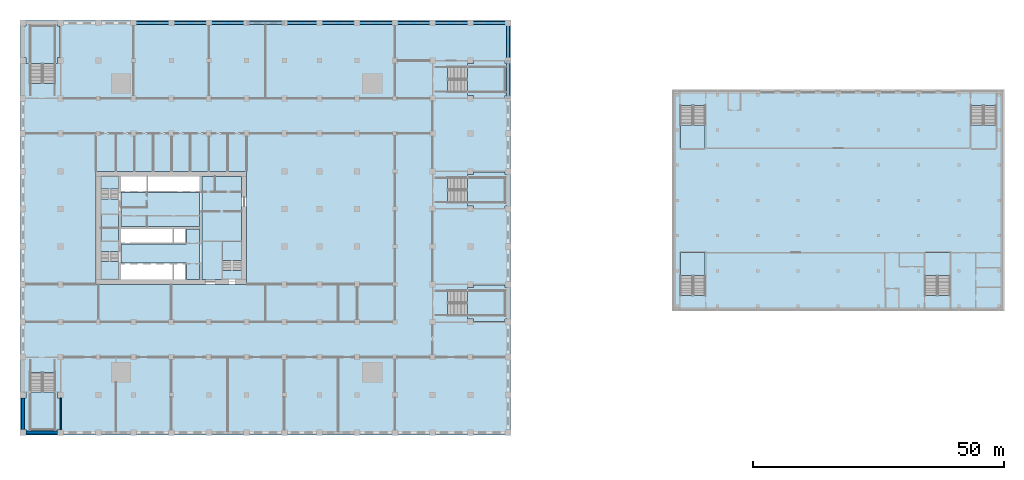
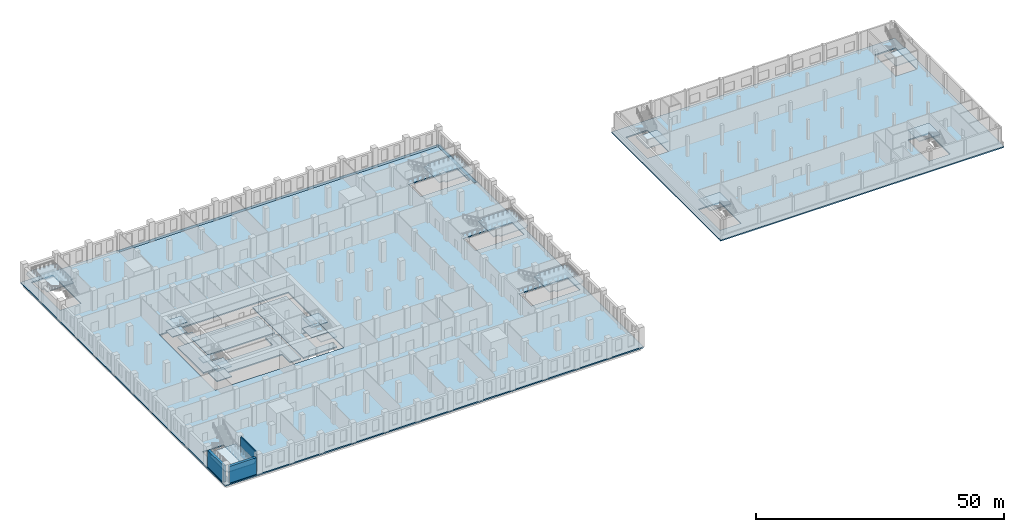
# One storey, part 2 of 32: 24 slabs, 12 beams, 3 walls, 12 elements without a shape of their own.
"""IFC4 building model written with IfcOpenShell, lengths in metres."""

from ifc_helpers import new_model, si_unit, direction, frame, frame_2d, origin, origin_2d, place, context, subcontext, project, spatial, polyline, rectangle, outline, extrude, material, layer, layer_set, material_profile, profile_set, type_object, element, aggregate, save


model = new_model("IFC4")

# Units and contexts
model_context = context("Model", 3, precision=1e-05, world=origin(), true_north=direction((0.0, 1.0)))
body_context = subcontext(model_context, "Body", "Model", "MODEL_VIEW")
ifc_project = project(units=[si_unit("LENGTHUNIT", "METRE"), si_unit("AREAUNIT", "SQUARE_METRE"), si_unit("VOLUMEUNIT", "CUBIC_METRE"), si_unit("PLANEANGLEUNIT", "RADIAN"), si_unit("MASSUNIT", "GRAM", prefix="KILO")], contexts=[model_context])

# Site, building, storey
site_placement = place(None, origin())
site = spatial("IfcSite", under=ifc_project, at=site_placement, CompositionType="ELEMENT")
building_placement = place(site_placement, origin())
building = spatial("IfcBuilding", under=site, at=building_placement, Name="Tamorin Gate", CompositionType="ELEMENT")
storey_placement = place(building_placement, frame((0.0, 0.0, 13.5)))
storey = spatial("IfcBuildingStorey", under=building, at=storey_placement, Name="L02", CompositionType="ELEMENT", Elevation=13.5)

# Beams
ifc_material_1 = material(Name="Concrete C50/60", Category="concrete")
ifc_material_profile = material_profile(ifc_material_1, rectangle(XDim=0.60009765625, YDim=0.89990234375, at=origin_2d()), Name="RC 600x900")
ifc_profile_set = profile_set([ifc_material_profile], Name="Concrete C50/60")
beam_type = type_object("IfcBeamType", Name="RC spandrel 600x900 C50/60", PredefinedType="BEAM", material=ifc_profile_set)
for number, where, z_axis, x_axis, name in (
    (1, (112.0, 97.0, -0.449951171875), (0.0, 1.0, 0.0), (-1.0, 0.0, 0.0), "Spandrel beam L02"),
    (2, (112.0, 104.5, -0.449951171875), (0.0, 1.0, 0.0), (-1.0, 0.0, 0.0), "Spandrel beam L02"),
    (3, (112.0, 112.0, -0.449951171875), (-1.0, 0.0, 0.0), (0.0, -1.0, 0.0), "Spandrel beam L02"),
    (4, (104.5, 112.0, -0.449951171875), (-1.0, 0.0, 0.0), (0.0, -1.0, 0.0), "Spandrel beam L02"),
    (5, (97.0, 112.0, -0.449951171875), (-1.0, 0.0, 0.0), (0.0, -1.0, 0.0), "Spandrel beam L02"),
    (6, (89.5, 112.0, -0.449951171875), (-1.0, 0.0, 0.0), (0.0, -1.0, 0.0), "Spandrel beam L02"),
    (7, (82.0, 112.0, -0.449951171875), (-1.0, 0.0, 0.0), (0.0, -1.0, 0.0), "Spandrel beam L02"),
):
    element("IfcBeam", number, at=place(storey_placement, frame(where, z_axis=z_axis, x_axis=x_axis)), inside=storey, type_object=beam_type, Name=name, PredefinedType="BEAM", context=body_context, shape_type="SweptSolid", body=[
        extrude(rectangle(XDim=0.60009765625, YDim=0.89990234375, at=origin_2d()), origin(), (0.0, 0.0, 1.0), 7.5),
    ])
beam_placement = place(storey_placement, frame((74.5, 112.0, -0.449951171875), z_axis=(-1.0, 0.0, 0.0), x_axis=(0.0, -1.0, 0.0)))
element("IfcBeam", 8, at=beam_placement, inside=storey, type_object=beam_type, Name="Spandrel beam L02", PredefinedType="BEAM", context=body_context, shape_type="SweptSolid", body=[
    extrude(rectangle(XDim=0.60009765625, YDim=0.89990234375, at=origin_2d()), origin(), (0.0, 0.0, 1.0), 7.0),
])
for number, where, z_axis, x_axis, name in (
    (9, (67.5, 112.0, -0.449951171875), (-1.0, 0.0, 0.0), (0.0, -1.0, 0.0), "Spandrel beam L02"),
    (10, (60.0, 112.0, -0.449951171875), (-1.0, 0.0, 0.0), (0.0, -1.0, 0.0), "Spandrel beam L02"),
    (11, (52.5, 112.0, -0.449951171875), (-1.0, 0.0, 0.0), (0.0, -1.0, 0.0), "Spandrel beam L02"),
    (12, (45.0, 112.0, -0.449951171875), (-1.0, 0.0, 0.0), (0.0, -1.0, 0.0), "Spandrel beam L02"),
):
    element("IfcBeam", number, at=place(storey_placement, frame(where, z_axis=z_axis, x_axis=x_axis)), inside=storey, type_object=beam_type, Name=name, PredefinedType="BEAM", context=body_context, shape_type="SweptSolid", body=[
        extrude(rectangle(XDim=0.60009765625, YDim=0.89990234375, at=origin_2d()), origin(), (0.0, 0.0, 1.0), 7.5),
    ])

# Slabs
ifc_material_2 = material(Name="Concrete C40/50", Category="concrete")
ifc_layer_1 = layer(ifc_material_2, 0.300048828125)
ifc_layer_set_1 = layer_set([ifc_layer_1], Name="Core floor slab 300 C40/50")
slab_type_1 = type_object("IfcSlabType", Name="Core floor slab 300 C40/50", PredefinedType="FLOOR", material=ifc_layer_set_1)
slab_1_placement = place(storey_placement, frame((0.0, 0.0, -0.300048828125)))
element("IfcSlab", 13, at=slab_1_placement, inside=storey, type_object=slab_type_1, Name="Core floor L02", PredefinedType="FLOOR", context=body_context, shape_type="SweptSolid", body=[
    extrude(outline(polyline([(59.0, 62.800048828125), (59.0, 61.0), (51.10009765625, 61.0), (51.10009765625, 81.5), (59.0, 81.5), (59.0, 68.5), (55.199951171875, 68.5), (55.199951171875, 62.800048828125), (59.0, 62.800048828125)])), origin(), (0.0, 0.0, 1.0), 0.300048828125),
])
slab_2_placement = place(storey_placement, frame((0.0, 0.0, -0.300048828125)))
element("IfcSlab", 14, at=slab_2_placement, inside=storey, type_object=slab_type_1, Name="Core floor L02", PredefinedType="FLOOR", context=body_context, shape_type="SweptSolid", body=[
    extrude(outline(polyline([(50.60009765625, 61.0), (48.0, 61.0), (48.0, 64.199951171875), (35.0, 64.199951171875), (35.0, 68.050048828125), (48.0, 68.050048828125), (48.0, 71.0), (50.60009765625, 71.0), (50.60009765625, 61.0)])), origin(), (0.0, 0.0, 1.0), 0.300048828125),
])
slab_3_placement = place(storey_placement, frame((0.0, 0.0, -0.300048828125)))
element("IfcSlab", 15, at=slab_3_placement, inside=storey, type_object=slab_type_1, Name="Core floor L02", PredefinedType="FLOOR", context=body_context, shape_type="SweptSolid", body=[
    extrude(outline(polyline([(50.60009765625, 71.5), (35.0, 71.5), (35.0, 78.300048828125), (50.60009765625, 78.300048828125), (50.60009765625, 71.5)])), origin(), (0.0, 0.0, 1.0), 0.300048828125),
])
slab_4_placement = place(storey_placement, frame((0.0, 0.0, -0.300048828125)))
element("IfcSlab", 16, at=slab_4_placement, inside=storey, type_object=slab_type_1, Name="Core floor L02", PredefinedType="FLOOR", context=body_context, shape_type="SweptSolid", body=[
    extrude(outline(polyline([(31.0, 66.5), (31.0, 77.0), (34.5, 77.0), (34.5, 66.5), (31.0, 66.5)])), origin(), (0.0, 0.0, 1.0), 0.300048828125),
])

# Stair, slabs
stair_type_1 = type_object("IfcStairType", Name="Exit stair", PredefinedType="HALF_TURN_STAIR", material=ifc_material_2)
stair_1_placement = place(storey_placement, origin())
stair_1 = element("IfcStair", 17, at=stair_1_placement, inside=storey, type_object=stair_type_1, Name="L02 stair ST1", PredefinedType="HALF_TURN_STAIR")
ifc_layer_2 = layer(ifc_material_2, 0.199951171875)
ifc_layer_set_2 = layer_set([ifc_layer_2], Name="Exit stair landing 200")
slab_type_2 = type_object("IfcSlabType", Name="Exit stair landing 200", PredefinedType="LANDING", material=ifc_layer_set_2)
slab_5_placement = place(storey_placement, frame((0.0, 0.0, 1.050048828125)))
slab_5 = element("IfcSlab", 18, at=slab_5_placement, type_object=slab_type_2, Name="ST1 landing 1", PredefinedType="LANDING", context=body_context, shape_type="SweptSolid", body=[
    extrude(outline(polyline([(31.0, 64.5400390625), (31.0, 61.0), (34.5, 61.0), (34.5, 64.5400390625), (31.0, 64.5400390625)])), origin(), (0.0, 0.0, 1.0), 0.199951171875),
])
slab_6_placement = place(storey_placement, frame((0.0, 0.0, 2.300048828125)))
slab_6 = element("IfcSlab", 19, at=slab_6_placement, type_object=slab_type_2, Name="ST1 landing 2", PredefinedType="LANDING", context=body_context, shape_type="SweptSolid", body=[
    extrude(outline(polyline([(31.0, 68.5), (31.0, 66.5), (34.5, 66.5), (34.5, 68.5), (31.0, 68.5)])), origin(), (0.0, 0.0, 1.0), 0.199951171875),
])
slab_7_placement = place(storey_placement, frame((0.0, 0.0, 3.550048828125)))
slab_7 = element("IfcSlab", 20, at=slab_7_placement, type_object=slab_type_2, Name="ST1 landing 3", PredefinedType="LANDING", context=body_context, shape_type="SweptSolid", body=[
    extrude(outline(polyline([(31.0, 64.5400390625), (31.0, 61.0), (34.5, 61.0), (34.5, 64.5400390625), (31.0, 64.5400390625)])), origin(), (0.0, 0.0, 1.0), 0.199951171875),
])
aggregate(stair_1, [slab_5, slab_6, slab_7])

stair_2_placement = place(storey_placement, origin())
stair_2 = element("IfcStair", 21, at=stair_2_placement, inside=storey, type_object=stair_type_1, Name="L02 stair ST2", PredefinedType="HALF_TURN_STAIR")
slab_8_placement = place(storey_placement, frame((0.0, 0.0, 1.050048828125)))
slab_8 = element("IfcSlab", 22, at=slab_8_placement, type_object=slab_type_2, Name="ST2 landing 1", PredefinedType="LANDING", context=body_context, shape_type="SweptSolid", body=[
    extrude(outline(polyline([(34.5, 78.9599609375), (34.5, 81.5), (31.0, 81.5), (31.0, 78.9599609375), (34.5, 78.9599609375)])), origin(), (0.0, 0.0, 1.0), 0.199951171875),
])
slab_9_placement = place(storey_placement, frame((0.0, 0.0, 2.300048828125)))
slab_9 = element("IfcSlab", 23, at=slab_9_placement, type_object=slab_type_2, Name="ST2 landing 2", PredefinedType="LANDING", context=body_context, shape_type="SweptSolid", body=[
    extrude(outline(polyline([(34.5, 74.0), (34.5, 77.0), (31.0, 77.0), (31.0, 74.0), (34.5, 74.0)])), origin(), (0.0, 0.0, 1.0), 0.199951171875),
])
slab_10_placement = place(storey_placement, frame((0.0, 0.0, 3.550048828125)))
slab_10 = element("IfcSlab", 24, at=slab_10_placement, type_object=slab_type_2, Name="ST2 landing 3", PredefinedType="LANDING", context=body_context, shape_type="SweptSolid", body=[
    extrude(outline(polyline([(34.5, 78.9599609375), (34.5, 81.5), (31.0, 81.5), (31.0, 78.9599609375), (34.5, 78.9599609375)])), origin(), (0.0, 0.0, 1.0), 0.199951171875),
])
aggregate(stair_2, [slab_8, slab_9, slab_10])

stair_3_placement = place(storey_placement, origin())
stair_3 = element("IfcStair", 25, at=stair_3_placement, inside=storey, type_object=stair_type_1, Name="L02 stair ST3", PredefinedType="HALF_TURN_STAIR")
slab_11_placement = place(storey_placement, frame((0.0, 0.0, 1.050048828125)))
slab_11 = element("IfcSlab", 26, at=slab_11_placement, type_object=slab_type_2, Name="ST3 landing 1", PredefinedType="LANDING", context=body_context, shape_type="SweptSolid", body=[
    extrude(outline(polyline([(59.0, 64.760009765625), (59.0, 68.5), (55.199951171875, 68.5), (55.199951171875, 64.760009765625), (59.0, 64.760009765625)])), origin(), (0.0, 0.0, 1.0), 0.199951171875),
])
slab_12_placement = place(storey_placement, frame((0.0, 0.0, 2.300048828125)))
slab_12 = element("IfcSlab", 27, at=slab_12_placement, type_object=slab_type_2, Name="ST3 landing 2", PredefinedType="LANDING", context=body_context, shape_type="SweptSolid", body=[
    extrude(outline(polyline([(59.0, 61.0), (59.0, 62.800048828125), (55.199951171875, 62.800048828125), (55.199951171875, 61.0), (59.0, 61.0)])), origin(), (0.0, 0.0, 1.0), 0.199951171875),
])
slab_13_placement = place(storey_placement, frame((0.0, 0.0, 3.550048828125)))
slab_13 = element("IfcSlab", 28, at=slab_13_placement, type_object=slab_type_2, Name="ST3 landing 3", PredefinedType="LANDING", context=body_context, shape_type="SweptSolid", body=[
    extrude(outline(polyline([(59.0, 64.760009765625), (59.0, 68.5), (55.199951171875, 68.5), (55.199951171875, 64.760009765625), (59.0, 64.760009765625)])), origin(), (0.0, 0.0, 1.0), 0.199951171875),
])
aggregate(stair_3, [slab_11, slab_12, slab_13])

# Slab
ifc_layer_3 = layer(ifc_material_2, 0.300048828125)
ifc_layer_set_3 = layer_set([ifc_layer_3], Name="Museum floor slab 300 C40/50")
slab_type_3 = type_object("IfcSlabType", Name="Museum floor slab 300 C40/50", PredefinedType="FLOOR", material=ifc_layer_set_3)
slab_14_placement = place(storey_placement, frame((0.0, 0.0, -0.300048828125)))
element("IfcSlab", 29, at=slab_14_placement, inside=storey, type_object=slab_type_3, Name="Museum floor slab", PredefinedType="FLOOR", context=body_context, shape_type="SweptSolid", body=[
    extrude(outline(polyline([(144.699951171875, 54.699951171875), (144.699951171875, 98.699951171875), (210.699951171875, 98.699951171875), (210.699951171875, 54.699951171875), (144.699951171875, 54.699951171875)]), holes=[polyline([(146.300537109375, 57.800537109375), (151.24951171875, 57.800537109375), (151.24951171875, 66.359375), (146.300537109375, 66.359375), (146.300537109375, 57.800537109375)]), polyline([(195.00048828125, 57.800537109375), (199.949462890625, 57.800537109375), (199.949462890625, 66.359375), (195.00048828125, 66.359375), (195.00048828125, 57.800537109375)]), polyline([(151.24951171875, 95.599365234375), (146.300537109375, 95.599365234375), (146.300537109375, 87.04052734375), (151.24951171875, 87.04052734375), (151.24951171875, 95.599365234375)]), polyline([(209.099365234375, 95.599365234375), (204.150634765625, 95.599365234375), (204.150634765625, 87.04052734375), (209.099365234375, 87.04052734375), (209.099365234375, 95.599365234375)])]), origin(), (0.0, 0.0, 1.0), 0.300048828125),
])

# Stair, slab
stair_type_2 = type_object("IfcStairType", Name="Museum exit stair 2400 C40/50", PredefinedType="HALF_TURN_STAIR", material=ifc_material_2)
stair_4_placement = place(storey_placement, origin())
stair_4 = element("IfcStair", 30, at=stair_4_placement, inside=storey, type_object=stair_type_2, Name="L02 PS6", PredefinedType="HALF_TURN_STAIR")
ifc_layer_4 = layer(ifc_material_2, 0.199951171875)
ifc_layer_set_4 = layer_set([ifc_layer_4], Name="Museum stair landing slab 200 C40/50")
slab_type_4 = type_object("IfcSlabType", Name="Museum stair landing slab 200 C40/50", PredefinedType="LANDING", material=ifc_layer_set_4)
slab_15_placement = place(storey_placement, frame((0.0, 0.0, 2.300048828125)))
slab_15 = element("IfcSlab", 31, at=slab_15_placement, type_object=slab_type_4, Name="PS6 landing 1", PredefinedType="LANDING", context=body_context, shape_type="SweptSolid", body=[
    extrude(outline(polyline([(146.300048828125, 91.679931640625), (146.300048828125, 87.0400390625), (151.25, 87.0400390625), (151.25, 91.679931640625), (146.300048828125, 91.679931640625)])), origin(), (0.0, 0.0, 1.0), 0.199951171875),
])
aggregate(stair_4, [slab_15])

stair_5_placement = place(storey_placement, origin())
stair_5 = element("IfcStair", 32, at=stair_5_placement, inside=storey, type_object=stair_type_2, Name="L02 PS7", PredefinedType="HALF_TURN_STAIR")
slab_16_placement = place(storey_placement, frame((0.0, 0.0, 2.300048828125)))
slab_16 = element("IfcSlab", 33, at=slab_16_placement, type_object=slab_type_4, Name="PS7 landing 1", PredefinedType="LANDING", context=body_context, shape_type="SweptSolid", body=[
    extrude(outline(polyline([(199.949951171875, 61.719970703125), (199.949951171875, 66.360107421875), (195.0, 66.360107421875), (195.0, 61.719970703125), (199.949951171875, 61.719970703125)])), origin(), (0.0, 0.0, 1.0), 0.199951171875),
])
aggregate(stair_5, [slab_16])

stair_6_placement = place(storey_placement, origin())
stair_6 = element("IfcStair", 34, at=stair_6_placement, inside=storey, type_object=stair_type_2, Name="L02 PS8", PredefinedType="HALF_TURN_STAIR")
slab_17_placement = place(storey_placement, frame((0.0, 0.0, 2.300048828125)))
slab_17 = element("IfcSlab", 35, at=slab_17_placement, type_object=slab_type_4, Name="PS8 landing 1", PredefinedType="LANDING", context=body_context, shape_type="SweptSolid", body=[
    extrude(outline(polyline([(151.25, 61.719970703125), (151.25, 66.360107421875), (146.300048828125, 66.360107421875), (146.300048828125, 61.719970703125), (151.25, 61.719970703125)])), origin(), (0.0, 0.0, 1.0), 0.199951171875),
])
aggregate(stair_6, [slab_17])

stair_7_placement = place(storey_placement, origin())
stair_7 = element("IfcStair", 36, at=stair_7_placement, inside=storey, type_object=stair_type_2, Name="L02 PS9", PredefinedType="HALF_TURN_STAIR")
slab_18_placement = place(storey_placement, frame((0.0, 0.0, 2.300048828125)))
slab_18 = element("IfcSlab", 37, at=slab_18_placement, type_object=slab_type_4, Name="PS9 landing 1", PredefinedType="LANDING", context=body_context, shape_type="SweptSolid", body=[
    extrude(outline(polyline([(204.14990234375, 91.679931640625), (204.14990234375, 87.0400390625), (209.10009765625, 87.0400390625), (209.10009765625, 91.679931640625), (204.14990234375, 91.679931640625)])), origin(), (0.0, 0.0, 1.0), 0.199951171875),
])
aggregate(stair_7, [slab_18])

# Slab
ifc_material_3 = material(Name="Concrete C45/55", Category="concrete")
ifc_layer_5 = layer(ifc_material_3, 0.300048828125)
ifc_layer_set_5 = layer_set([ifc_layer_5], Name="Podium slab 300 C45/55")
slab_type_5 = type_object("IfcSlabType", Name="Podium slab 300 C45/55", PredefinedType="FLOOR", material=ifc_layer_set_5)
slab_19_placement = place(storey_placement, frame((0.0, 0.0, -0.300048828125)))
element("IfcSlab", 38, at=slab_19_placement, inside=storey, type_object=slab_type_5, Name="Podium L02", PredefinedType="FLOOR", context=body_context, shape_type="SweptSolid", body=[
    extrude(outline(polyline([(15.0, 30.0), (112.5, 30.0), (112.5, 112.5), (15.0, 112.5), (15.0, 30.0)]), holes=[polyline([(60.0, 60.0), (60.0, 82.5), (30.0, 82.5), (30.0, 60.0), (60.0, 60.0)]), polyline([(16.925537109375, 42.49951171875), (21.87451171875, 42.49951171875), (21.87451171875, 31.1005859375), (16.925537109375, 31.1005859375), (16.925537109375, 42.49951171875)]), polyline([(21.87451171875, 100.00048828125), (16.925537109375, 100.00048828125), (16.925537109375, 111.3994140625), (21.87451171875, 111.3994140625), (21.87451171875, 100.00048828125)]), polyline([(100.00048828125, 53.775390625), (100.00048828125, 58.724609375), (111.3994140625, 58.724609375), (111.3994140625, 53.775390625), (100.00048828125, 53.775390625)]), polyline([(100.00048828125, 98.275390625), (100.00048828125, 103.224609375), (111.3994140625, 103.224609375), (111.3994140625, 98.275390625), (100.00048828125, 98.275390625)]), polyline([(100.00048828125, 76.275390625), (100.00048828125, 81.224609375), (111.3994140625, 81.224609375), (111.3994140625, 76.275390625), (100.00048828125, 76.275390625)])]), origin(), (0.0, 0.0, 1.0), 0.300048828125),
])

# Stair, slab
ifc_material_4 = material(Name="Reinforced concrete C32/40", Category="concrete")
stair_type_3 = type_object("IfcStairType", Name="Podium stair PS", PredefinedType="HALF_TURN_STAIR", material=ifc_material_4)
stair_8_placement = place(storey_placement, origin())
stair_8 = element("IfcStair", 39, at=stair_8_placement, inside=storey, type_object=stair_type_3, Name="L02 Podium stair PS1", PredefinedType="HALF_TURN_STAIR")
ifc_layer_6 = layer(ifc_material_4, 0.199951171875)
ifc_layer_set_6 = layer_set([ifc_layer_6], Name="Stair landing 200")
slab_type_6 = type_object("IfcSlabType", Name="Stair landing 200", PredefinedType="LANDING", material=ifc_layer_set_6)
slab_20_placement = place(storey_placement, frame((0.0, 0.0, 2.300048828125)))
slab_20 = element("IfcSlab", 40, at=slab_20_placement, type_object=slab_type_6, Name="PS1 landing 1", PredefinedType="LANDING", context=body_context, shape_type="SweptSolid", body=[
    extrude(outline(polyline([(22.39990234375, 31.10009765625), (22.39990234375, 30.64990234375), (16.10009765625, 30.64990234375), (16.10009765625, 31.10009765625), (15.64990234375, 31.10009765625), (15.64990234375, 37.39990234375), (16.10009765625, 37.39990234375), (16.10009765625, 38.580078125), (22.39990234375, 38.580078125), (22.39990234375, 37.39990234375), (22.89990234375, 37.39990234375), (22.89990234375, 31.10009765625), (22.39990234375, 31.10009765625)])), origin(), (0.0, 0.0, 1.0), 0.199951171875),
])
aggregate(stair_8, [slab_20])

stair_9_placement = place(storey_placement, origin())
stair_9 = element("IfcStair", 41, at=stair_9_placement, inside=storey, type_object=stair_type_3, Name="L02 Podium stair PS2", PredefinedType="HALF_TURN_STAIR")
slab_21_placement = place(storey_placement, frame((0.0, 0.0, 2.300048828125)))
slab_21 = element("IfcSlab", 42, at=slab_21_placement, type_object=slab_type_6, Name="PS2 landing 1", PredefinedType="LANDING", context=body_context, shape_type="SweptSolid", body=[
    extrude(outline(polyline([(22.39990234375, 105.10009765625), (22.39990234375, 103.919921875), (16.10009765625, 103.919921875), (16.10009765625, 105.10009765625), (15.64990234375, 105.10009765625), (15.64990234375, 111.39990234375), (16.10009765625, 111.39990234375), (16.10009765625, 111.85009765625), (22.39990234375, 111.85009765625), (22.39990234375, 111.39990234375), (22.89990234375, 111.39990234375), (22.89990234375, 105.10009765625), (22.39990234375, 105.10009765625)])), origin(), (0.0, 0.0, 1.0), 0.199951171875),
])
aggregate(stair_9, [slab_21])

stair_10_placement = place(storey_placement, origin())
stair_10 = element("IfcStair", 43, at=stair_10_placement, inside=storey, type_object=stair_type_3, Name="L02 Podium stair PS3", PredefinedType="HALF_TURN_STAIR")
slab_22_placement = place(storey_placement, frame((0.0, 0.0, 2.300048828125)))
slab_22 = element("IfcSlab", 44, at=slab_22_placement, type_object=slab_type_6, Name="PS3 landing 1", PredefinedType="LANDING", context=body_context, shape_type="SweptSolid", body=[
    extrude(outline(polyline([(111.39990234375, 53.10009765625), (111.39990234375, 52.60009765625), (105.10009765625, 52.60009765625), (105.10009765625, 53.10009765625), (103.919921875, 53.10009765625), (103.919921875, 59.39990234375), (105.10009765625, 59.39990234375), (105.10009765625, 59.89990234375), (111.39990234375, 59.89990234375), (111.39990234375, 59.39990234375), (111.85009765625, 59.39990234375), (111.85009765625, 53.10009765625), (111.39990234375, 53.10009765625)])), origin(), (0.0, 0.0, 1.0), 0.199951171875),
])
aggregate(stair_10, [slab_22])

stair_11_placement = place(storey_placement, origin())
stair_11 = element("IfcStair", 45, at=stair_11_placement, inside=storey, type_object=stair_type_3, Name="L02 Podium stair PS4", PredefinedType="HALF_TURN_STAIR")
slab_23_placement = place(storey_placement, frame((0.0, 0.0, 2.300048828125)))
slab_23 = element("IfcSlab", 46, at=slab_23_placement, type_object=slab_type_6, Name="PS4 landing 1", PredefinedType="LANDING", context=body_context, shape_type="SweptSolid", body=[
    extrude(outline(polyline([(111.39990234375, 97.60009765625), (111.39990234375, 97.10009765625), (105.10009765625, 97.10009765625), (105.10009765625, 97.60009765625), (103.919921875, 97.60009765625), (103.919921875, 103.89990234375), (105.10009765625, 103.89990234375), (105.10009765625, 104.39990234375), (111.39990234375, 104.39990234375), (111.39990234375, 103.89990234375), (111.85009765625, 103.89990234375), (111.85009765625, 97.60009765625), (111.39990234375, 97.60009765625)])), origin(), (0.0, 0.0, 1.0), 0.199951171875),
])
aggregate(stair_11, [slab_23])

stair_12_placement = place(storey_placement, origin())
stair_12 = element("IfcStair", 47, at=stair_12_placement, inside=storey, type_object=stair_type_3, Name="L02 Podium stair PS5", PredefinedType="HALF_TURN_STAIR")
slab_24_placement = place(storey_placement, frame((0.0, 0.0, 2.300048828125)))
slab_24 = element("IfcSlab", 48, at=slab_24_placement, type_object=slab_type_6, Name="PS5 landing 1", PredefinedType="LANDING", context=body_context, shape_type="SweptSolid", body=[
    extrude(outline(polyline([(111.39990234375, 75.60009765625), (111.39990234375, 75.10009765625), (105.10009765625, 75.10009765625), (105.10009765625, 75.60009765625), (103.919921875, 75.60009765625), (103.919921875, 81.89990234375), (105.10009765625, 81.89990234375), (105.10009765625, 82.39990234375), (111.39990234375, 82.39990234375), (111.39990234375, 81.89990234375), (111.85009765625, 81.89990234375), (111.85009765625, 75.60009765625), (111.39990234375, 75.60009765625)])), origin(), (0.0, 0.0, 1.0), 0.199951171875),
])
aggregate(stair_12, [slab_24])

# Walls
ifc_material_5 = material(Name="Precast concrete C40/50", Category="concrete")
ifc_layer_7 = layer(ifc_material_5, 0.60009765625)
ifc_layer_set_7 = layer_set([ifc_layer_7], Name="Precast concrete C40/50")
wall_type_1 = type_object("IfcWallType", Name="Precast plinth wall 600", PredefinedType="PARTITIONING", material=ifc_layer_set_7)
for number, where, z_axis, x_axis, name in (
    (49, (16.10009765625, 30.5, 0.0), (0.0, 0.0, 1.0), (1.0, 0.0, 0.0), "Precast plinth wall 600 L02"),
    (50, (15.5, 31.10009765625, 0.0), (0.0, 0.0, 1.0), (0.0, 1.0, 0.0), "Precast plinth wall 600 L02"),
):
    element("IfcWall", number, at=place(storey_placement, frame(where, z_axis=z_axis, x_axis=x_axis)), inside=storey, type_object=wall_type_1, Name=name, PredefinedType="PARTITIONING", context=body_context, shape_type="SweptSolid", body=[
        extrude(rectangle(XDim=6.2998046875, YDim=0.60009765625, at=frame_2d((3.14990234375, 0.0))), origin(), (0.0, 0.0, 1.0), 4.10009765625),
    ])
ifc_layer_8 = layer(ifc_material_2, 0.199951171875)
ifc_layer_set_8 = layer_set([ifc_layer_8], Name="Stair enclosure 200")
wall_type_2 = type_object("IfcWallType", Name="Stair enclosure 200", PredefinedType="SHEAR", material=ifc_layer_set_8)
wall_placement = place(storey_placement, frame((23.0, 31.10009765625, 0.0), z_axis=(0.0, 0.0, 1.0), x_axis=(0.0, 1.0, 0.0)))
element("IfcWall", 51, at=wall_placement, inside=storey, type_object=wall_type_2, Name="Stair enclosure 200 L02", PredefinedType="SHEAR", context=body_context, shape_type="SweptSolid", body=[
    extrude(rectangle(XDim=6.2998046875, YDim=0.199951171875, at=frame_2d((3.14990234375, 0.0))), origin(), (0.0, 0.0, 1.0), 4.699951171875),
])

save(model, "model.ifc")
